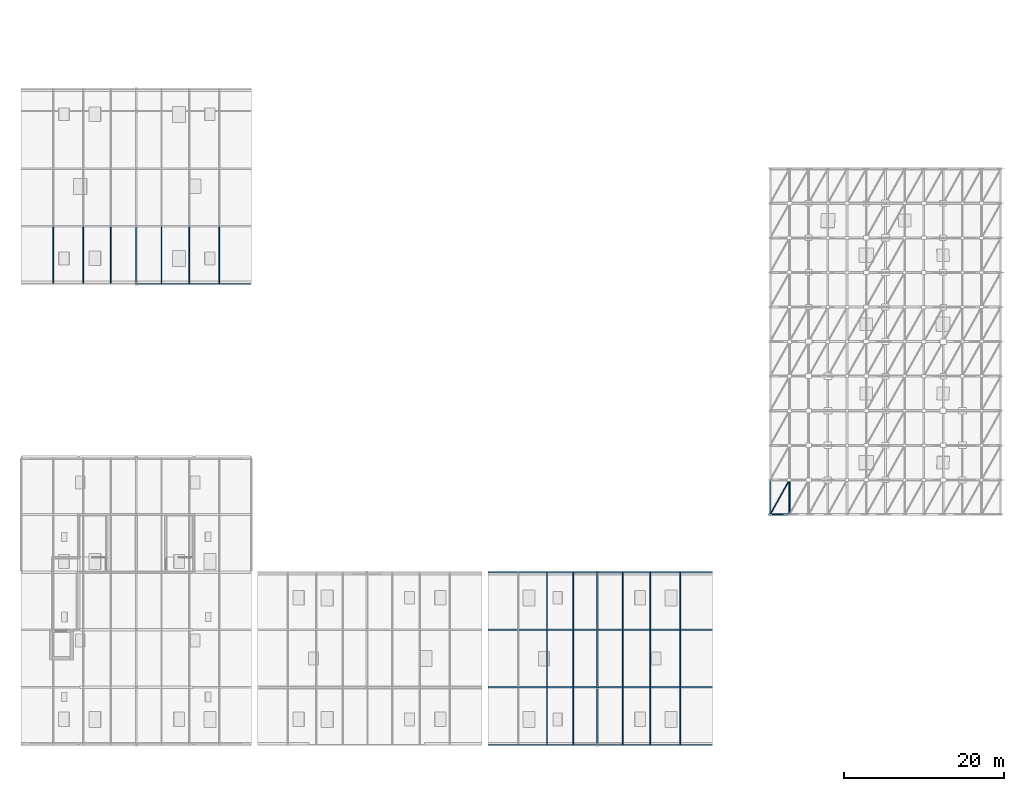
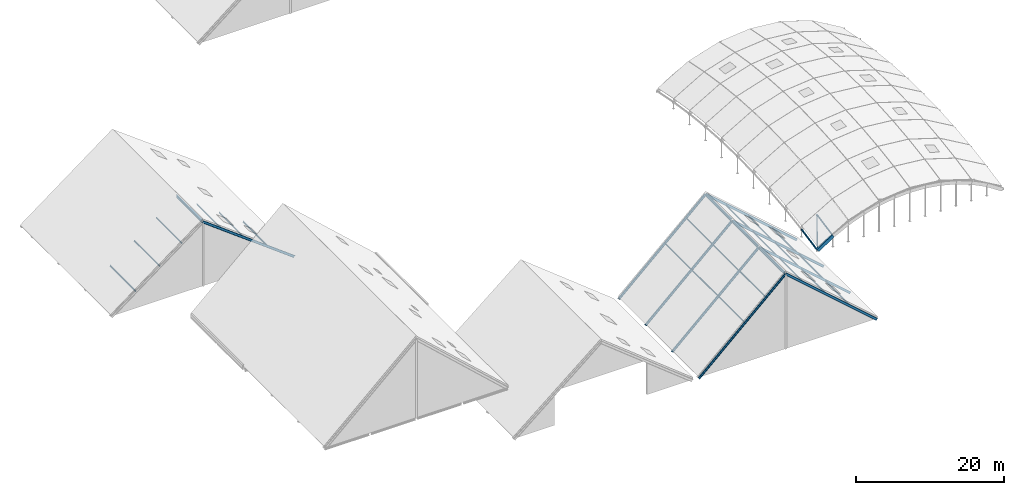
# One storey, part 8 of 35: 25 members, 13 beams.
"""IFC4 building model written with IfcOpenShell, lengths in metres."""

import ifcopenshell
import ifcopenshell.guid

model = None  # the IFC model being written
_history = None  # IfcOwnerHistory: only IFC2X3 demands one
_inside = {}  # id of a spatial element -> (the spatial element, [elements in it])
_under = {}  # id of a project, library or spatial element -> (it, [spatial elements below it])
_declared = {}  # id of a project -> (the project, [libraries it declares])
_typed = {}  # id of a type object -> (the type object, [elements of that type])
_made_of = {}  # id of a material, layer set ... -> (it, [elements and type objects made of it])


def new_model(schema):
    """Start an empty IFC model of exactly this schema.

    Asked for "IFC4X3", IfcOpenShell would pick the latest addendum, in which some entities
    have other attributes; the version numbers below select the first issue.
    IFC2X3 requires an IfcOwnerHistory on every rooted entity: one is made here for all.
    """
    global model, _history
    if schema == "IFC4X3":
        model = ifcopenshell.file(schema_version=(4, 3, 0, 0))
    else:
        model = ifcopenshell.file(schema=schema)
    _inside.clear()
    _under.clear()
    _declared.clear()
    _typed.clear()
    _made_of.clear()
    _history = None
    if model.schema == "IFC2X3":
        org = make("IfcOrganization", Name="unknown")
        user = make(
            "IfcPersonAndOrganization",
            ThePerson=make("IfcPerson", FamilyName="unknown"),
            TheOrganization=org,
        )
        app = make(
            "IfcApplication",
            ApplicationDeveloper=org,
            Version="unknown",
            ApplicationFullName="unknown",
            ApplicationIdentifier="unknown",
        )
        _history = make(
            "IfcOwnerHistory",
            OwningUser=user,
            OwningApplication=app,
            ChangeAction="ADDED",
            CreationDate=0,
        )
    return model


def make(cls, **values):
    """One entity of the class cls with the attributes given. An attribute that is None is left unset."""
    return model.create_entity(
        cls, **{name: value for name, value in values.items() if value is not None}
    )


def rooted(cls, **values):
    """An entity with a GlobalId (a new one), such as an element, a storey or a relation."""
    return make(cls, GlobalId=ifcopenshell.guid.new(), OwnerHistory=_history, **values)


def si_unit(unit_type, name, prefix=None):
    """IfcSIUnit, for example si_unit("LENGTHUNIT", "METRE", prefix="MILLI")."""
    return make("IfcSIUnit", UnitType=unit_type, Prefix=prefix, Name=name)


def assignment(units):
    """IfcUnitAssignment: the units of a project."""
    return None if units is None else make("IfcUnitAssignment", Units=units)


def point(xyz):
    """IfcCartesianPoint."""
    return None if xyz is None else make("IfcCartesianPoint", Coordinates=xyz)


def direction(xyz):
    """IfcDirection."""
    return None if xyz is None else make("IfcDirection", DirectionRatios=xyz)


def frame(location, z_axis=None, x_axis=None):
    """IfcAxis2Placement3D, a coordinate frame: its origin and axes. An axis left out is left unset."""
    return make(
        "IfcAxis2Placement3D",
        Location=point(location),
        Axis=direction(z_axis),
        RefDirection=direction(x_axis),
    )


def frame_2d(location, x_axis=None):
    """IfcAxis2Placement2D, a coordinate frame in the plane: its origin and x axis."""
    return make(
        "IfcAxis2Placement2D", Location=point(location), RefDirection=direction(x_axis)
    )


def origin():
    """The frame at (0, 0, 0) with its axes left unset."""
    return frame((0.0, 0.0, 0.0))


def origin_2d():
    """The frame at (0, 0) in the plane with its x axis left unset."""
    return frame_2d((0.0, 0.0))


def place(relative_to, where):
    """IfcLocalPlacement: puts the frame where relative to a parent placement (None: the world)."""
    return make(
        "IfcLocalPlacement", PlacementRelTo=relative_to, RelativePlacement=where
    )


def context(
    kind, dimensions, precision=None, world=None, true_north=None, identifier=None
):
    """IfcGeometricRepresentationContext, for example the 3D "Model" context."""
    return make(
        "IfcGeometricRepresentationContext",
        ContextIdentifier=identifier,
        ContextType=kind,
        CoordinateSpaceDimension=dimensions,
        Precision=precision,
        WorldCoordinateSystem=world,
        TrueNorth=true_north,
    )


def subcontext(parent, identifier, kind, view, scale=None):
    """IfcGeometricRepresentationSubContext, for example "Body" below "Model"."""
    return make(
        "IfcGeometricRepresentationSubContext",
        ContextIdentifier=identifier,
        ContextType=kind,
        ParentContext=parent,
        TargetScale=scale,
        TargetView=view,
    )


def project(units=None, contexts=None):
    """IfcProject with its units and contexts."""
    return rooted(
        "IfcProject",
        Name="project",
        RepresentationContexts=contexts,
        UnitsInContext=assignment(units),
    )


def spatial(cls, under=None, at=None, **own):
    """A site, building, storey or space (cls), placed at a placement, below another one or the project."""
    s = rooted(cls, ObjectPlacement=at, **own)
    if under is not None:
        _under.setdefault(under.id(), (under, []))[1].append(s)
    return s


def profile(cls, at=None, kind="AREA", **sizes):
    """A parametric profile (cls). Its sizes go by their IFC names, for example OverallWidth=200.0."""
    return make(cls, ProfileType=kind, Position=at, **sizes)


def rectangle(**sizes):
    """IfcRectangleProfileDef."""
    return profile("IfcRectangleProfileDef", **sizes)


def hollow_rectangle(**sizes):
    """IfcRectangleHollowProfileDef."""
    return profile("IfcRectangleHollowProfileDef", **sizes)


def hollow_circle(**sizes):
    """IfcCircleHollowProfileDef."""
    return profile("IfcCircleHollowProfileDef", **sizes)


def i_section(**sizes):
    """IfcIShapeProfileDef."""
    return profile("IfcIShapeProfileDef", **sizes)


def extrude(swept, where, along, depth):
    """IfcExtrudedAreaSolid: the profile swept, set in the frame where, extruded along a direction by depth."""
    return make(
        "IfcExtrudedAreaSolid",
        SweptArea=swept,
        Position=where,
        ExtrudedDirection=direction(along),
        Depth=depth,
    )


def shape(context_of_items, identifier, shape_type, items):
    """IfcShapeRepresentation: the items that make up one representation, for example the "Body"."""
    return make(
        "IfcShapeRepresentation",
        ContextOfItems=context_of_items,
        RepresentationIdentifier=identifier,
        RepresentationType=shape_type,
        Items=items,
    )


def material(Name=None, Category=None):
    """IfcMaterial."""
    return make("IfcMaterial", Name=Name, Category=Category)


def material_profile(
    of_material, cross_section, Name=None, Category=None, Priority=None
):
    """IfcMaterialProfile: a cross section and its material."""
    return make(
        "IfcMaterialProfile",
        Name=Name,
        Material=of_material,
        Profile=cross_section,
        Priority=Priority,
        Category=Category,
    )


def profile_set(profiles, Name=None, composite=None):
    """IfcMaterialProfileSet."""
    return make(
        "IfcMaterialProfileSet",
        Name=Name,
        MaterialProfiles=profiles,
        CompositeProfile=composite,
    )


def made_of(thing, what):
    """Note that an element or type object is made of a material, layer set ...; save() writes the relation."""
    if what is not None:
        _made_of.setdefault(what.id(), (what, []))[1].append(thing)
    return thing


def type_object(cls, material=None, **own):
    """A type object (cls), such as IfcWallType, which elements share."""
    return made_of(rooted(cls, **own), material)


def element(
    cls,
    number,
    at=None,
    inside=None,
    cuts=None,
    type_object=None,
    material=None,
    context=None,
    identifier="Body",
    shape_type=None,
    held_by="IfcProductDefinitionShape",
    body=None,
    shapes=None,
    **own,
):
    """One element of the class cls, such as IfcWall. Its Tag is "e" and its number.

    at: its placement. inside: the storey or other place that contains it. cuts: it is an
    opening in that element (IfcRelVoidsElement). A single representation is given by context,
    identifier, shape_type and body (its items); several are given by shapes. held_by: the class
    of the entity that holds the representations. save() writes the other relations.
    """
    e = rooted(cls, Tag="e%d" % number, ObjectPlacement=at, **own)
    if body is not None:
        shapes = [shape(context, identifier, shape_type, body)]
    if shapes is not None:
        e.Representation = make(held_by, Representations=shapes)
    if inside is not None:
        _inside.setdefault(inside.id(), (inside, []))[1].append(e)
    if cuts is not None:
        rooted(
            "IfcRelVoidsElement", RelatingBuildingElement=cuts, RelatedOpeningElement=e
        )
    if type_object is not None:
        _typed.setdefault(type_object.id(), (type_object, []))[1].append(e)
    return made_of(e, material)


def aggregate(whole, parts):
    """IfcRelAggregates: a whole, such as a stair, and the parts it consists of."""
    return rooted("IfcRelAggregates", RelatingObject=whole, RelatedObjects=parts)


def save(model, path):
    """Write the relations noted so far, then the file.

    IfcRelAggregates (storeys below a building ...), IfcRelContainedInSpatialStructure (elements
    in a storey), IfcRelDefinesByType, IfcRelAssociatesMaterial and IfcRelDeclares: one each for
    every whole, place, type object, material and project.
    """
    for whole, parts in _under.values():
        aggregate(whole, parts)
    for where, things in _inside.values():
        rooted(
            "IfcRelContainedInSpatialStructure",
            RelatedElements=things,
            RelatingStructure=where,
        )
    for kind, things in _typed.values():
        rooted("IfcRelDefinesByType", RelatedObjects=things, RelatingType=kind)
    for what, things in _made_of.values():
        rooted("IfcRelAssociatesMaterial", RelatedObjects=things, RelatingMaterial=what)
    for by, libraries in _declared.values():
        rooted("IfcRelDeclares", RelatingContext=by, RelatedDefinitions=libraries)
    model.write(path)


model = new_model("IFC4")

# Units and contexts
model_context = context("Model", 3, precision=1e-05, world=origin(), true_north=direction((0.0, 1.0)))
body_context = subcontext(model_context, "Body", "Model", "MODEL_VIEW")
ifc_project = project(units=[si_unit("LENGTHUNIT", "METRE"), si_unit("AREAUNIT", "SQUARE_METRE"), si_unit("VOLUMEUNIT", "CUBIC_METRE"), si_unit("PLANEANGLEUNIT", "RADIAN"), si_unit("MASSUNIT", "GRAM", prefix="KILO")], contexts=[model_context])

# Site, building, storey
site_placement = place(None, origin())
site = spatial("IfcSite", under=ifc_project, at=site_placement, CompositionType="ELEMENT")
building_placement = place(site_placement, origin())
building = spatial("IfcBuilding", under=site, at=building_placement, Name="Zarrinpeak Specialist Clinic", CompositionType="ELEMENT")
storey_placement = place(building_placement, frame((0.0, 0.0, 31.60009765625)))
storey = spatial("IfcBuildingStorey", under=building, at=storey_placement, Name="RF", CompositionType="ELEMENT", Elevation=31.60009765625)

# Beams
ifc_material_1 = material(Name="Steel S355", Category="steel")
ifc_material_profile_1 = material_profile(ifc_material_1, i_section(OverallWidth=0.169921875, OverallDepth=0.360107421875, WebThickness=0.008056640625, FlangeThickness=0.0126953125, FilletRadius=0.01806640625, at=origin_2d()), Name="IPE 360")
ifc_profile_set_1 = profile_set([ifc_material_profile_1], Name="Steel S355")
beam_type_1 = type_object("IfcBeamType", Name="BM-JST360", PredefinedType="JOIST", material=ifc_profile_set_1)
beam_1_placement = place(storey_placement, frame((58.4599609375, 0.0, -8.9501953125), z_axis=(0.733950992204, 0.0, 0.679202430092), x_axis=(0.0, 1.0, 0.0)))
element("IfcBeam", 1, at=beam_1_placement, inside=storey, type_object=beam_type_1, Name="V4 Pitched Gable Rafter W Y=0.0", PredefinedType="JOIST", context=body_context, shape_type="SweptSolid", body=[
    extrude(i_section(OverallWidth=0.169921875, OverallDepth=0.360107421875, WebThickness=0.008056640625, FlangeThickness=0.0126953125, FilletRadius=0.01806640625, at=origin_2d()), origin(), (0.0, 0.0, 1.0), 18.4482421875),
])
beam_2_placement = place(storey_placement, frame((86.260009765625, 0.0, -8.9501953125), z_axis=(-0.751203933571, 0.0, 0.660070185804), x_axis=(0.0, -1.0, 0.0)))
element("IfcBeam", 2, at=beam_2_placement, inside=storey, type_object=beam_type_1, Name="V4 Pitched Gable Rafter E Y=0.0", PredefinedType="JOIST", context=body_context, shape_type="SweptSolid", body=[
    extrude(i_section(OverallWidth=0.169921875, OverallDepth=0.360107421875, WebThickness=0.008056640625, FlangeThickness=0.0126953125, FilletRadius=0.01806640625, at=origin_2d()), origin(), (0.0, 0.0, 1.0), 18.98291015625),
])
beam_3_placement = place(storey_placement, frame((58.4599609375, 7.199951171875, -8.9501953125), z_axis=(0.733950992204, 0.0, 0.679202430092), x_axis=(0.0, 1.0, 0.0)))
element("IfcBeam", 3, at=beam_3_placement, inside=storey, type_object=beam_type_1, Name="V4 Pitched Gable Rafter W Y=7.2", PredefinedType="JOIST", context=body_context, shape_type="SweptSolid", body=[
    extrude(i_section(OverallWidth=0.169921875, OverallDepth=0.360107421875, WebThickness=0.008056640625, FlangeThickness=0.0126953125, FilletRadius=0.01806640625, at=origin_2d()), origin(), (0.0, 0.0, 1.0), 18.4482421875),
])
beam_4_placement = place(storey_placement, frame((86.260009765625, 7.199951171875, -8.9501953125), z_axis=(-0.751203933571, 0.0, 0.660070185804), x_axis=(0.0, -1.0, 0.0)))
element("IfcBeam", 4, at=beam_4_placement, inside=storey, type_object=beam_type_1, Name="V4 Pitched Gable Rafter E Y=7.2", PredefinedType="JOIST", context=body_context, shape_type="SweptSolid", body=[
    extrude(i_section(OverallWidth=0.169921875, OverallDepth=0.360107421875, WebThickness=0.008056640625, FlangeThickness=0.0126953125, FilletRadius=0.01806640625, at=origin_2d()), origin(), (0.0, 0.0, 1.0), 18.98291015625),
])
beam_5_placement = place(storey_placement, frame((58.4599609375, 14.39990234375, -8.9501953125), z_axis=(0.733950992204, 0.0, 0.679202430092), x_axis=(0.0, 1.0, 0.0)))
element("IfcBeam", 5, at=beam_5_placement, inside=storey, type_object=beam_type_1, Name="V4 Pitched Gable Rafter W Y=14.4", PredefinedType="JOIST", context=body_context, shape_type="SweptSolid", body=[
    extrude(i_section(OverallWidth=0.169921875, OverallDepth=0.360107421875, WebThickness=0.008056640625, FlangeThickness=0.0126953125, FilletRadius=0.01806640625, at=origin_2d()), origin(), (0.0, 0.0, 1.0), 18.4482421875),
])
beam_6_placement = place(storey_placement, frame((86.260009765625, 14.39990234375, -8.9501953125), z_axis=(-0.751203933571, 0.0, 0.660070185804), x_axis=(0.0, -1.0, 0.0)))
element("IfcBeam", 6, at=beam_6_placement, inside=storey, type_object=beam_type_1, Name="V4 Pitched Gable Rafter E Y=14.4", PredefinedType="JOIST", context=body_context, shape_type="SweptSolid", body=[
    extrude(i_section(OverallWidth=0.169921875, OverallDepth=0.360107421875, WebThickness=0.008056640625, FlangeThickness=0.0126953125, FilletRadius=0.01806640625, at=origin_2d()), origin(), (0.0, 0.0, 1.0), 18.98291015625),
])
beam_7_placement = place(storey_placement, frame((58.4599609375, 21.60009765625, -8.9501953125), z_axis=(0.733950992204, 0.0, 0.679202430092), x_axis=(0.0, 1.0, 0.0)))
element("IfcBeam", 7, at=beam_7_placement, inside=storey, type_object=beam_type_1, Name="V4 Pitched Gable Rafter W Y=21.6", PredefinedType="JOIST", context=body_context, shape_type="SweptSolid", body=[
    extrude(i_section(OverallWidth=0.169921875, OverallDepth=0.360107421875, WebThickness=0.008056640625, FlangeThickness=0.0126953125, FilletRadius=0.01806640625, at=origin_2d()), origin(), (0.0, 0.0, 1.0), 18.4482421875),
])
beam_8_placement = place(storey_placement, frame((86.260009765625, 21.60009765625, -8.9501953125), z_axis=(-0.751203933571, 0.0, 0.660070185804), x_axis=(0.0, -1.0, 0.0)))
element("IfcBeam", 8, at=beam_8_placement, inside=storey, type_object=beam_type_1, Name="V4 Pitched Gable Rafter E Y=21.6", PredefinedType="JOIST", context=body_context, shape_type="SweptSolid", body=[
    extrude(i_section(OverallWidth=0.169921875, OverallDepth=0.360107421875, WebThickness=0.008056640625, FlangeThickness=0.0126953125, FilletRadius=0.01806640625, at=origin_2d()), origin(), (0.0, 0.0, 1.0), 18.98291015625),
])
beam_9_placement = place(storey_placement, frame((28.659912109375, 57.60009765625, -13.35009765625), z_axis=(-0.799058352684, 0.0, 0.601253481492), x_axis=(0.0, -1.0, 0.0)))
element("IfcBeam", 9, at=beam_9_placement, inside=storey, type_object=beam_type_1, Name="V5 Pitched Gable Rafter E Y=57.6", PredefinedType="JOIST", context=body_context, shape_type="SweptSolid", body=[
    extrude(i_section(OverallWidth=0.169921875, OverallDepth=0.360107421875, WebThickness=0.008056640625, FlangeThickness=0.0126953125, FilletRadius=0.01806640625, at=origin_2d()), origin(), (0.0, 0.0, 1.0), 17.845947265625),
])
ifc_material_profile_2 = material_profile(ifc_material_1, i_section(OverallWidth=0.18994140625, OverallDepth=0.449951171875, WebThickness=0.009521484375, FlangeThickness=0.0146484375, FilletRadius=0.02099609375, at=origin_2d()), Name="IPE 450")
ifc_profile_set_2 = profile_set([ifc_material_profile_2], Name="Steel S355")
beam_type_2 = type_object("IfcBeamType", Name="BM-RIDGE450", PredefinedType="BEAM", material=ifc_profile_set_2)
beam_10_placement = place(storey_placement, frame((72.0, 0.139892578125, 3.5498046875), z_axis=(0.0, 1.0, 0.0), x_axis=(-1.0, 0.0, 0.0)))
element("IfcBeam", 10, at=beam_10_placement, inside=storey, type_object=beam_type_2, Name="V4 Gable Ridge Beam BM-RF-V4-RIDGE-2394", PredefinedType="BEAM", context=body_context, shape_type="SweptSolid", body=[
    extrude(i_section(OverallWidth=0.18994140625, OverallDepth=0.449951171875, WebThickness=0.009521484375, FlangeThickness=0.0146484375, FilletRadius=0.02099609375, at=origin_2d()), origin(), (0.0, 0.0, 1.0), 6.920166015625),
])
for number, where, z_axis, x_axis, name in (
    (11, (72.0, 7.340087890625, 3.5498046875), (0.0, 1.0, 0.0), (-1.0, 0.0, 0.0), "V4 Gable Ridge Beam BM-RF-V4-RIDGE-2395"),
    (12, (72.0, 14.5400390625, 3.5498046875), (0.0, 1.0, 0.0), (-1.0, 0.0, 0.0), "V4 Gable Ridge Beam BM-RF-V4-RIDGE-2396"),
    (13, (14.39990234375, 57.739990234375, -2.650146484375), (0.0, 1.0, 0.0), (-1.0, 0.0, 0.0), "V5 Gable Ridge Beam BM-RF-V5-RIDGE-2447"),
):
    element("IfcBeam", number, at=place(storey_placement, frame(where, z_axis=z_axis, x_axis=x_axis)), inside=storey, type_object=beam_type_2, Name=name, PredefinedType="BEAM", context=body_context, shape_type="SweptSolid", body=[
        extrude(i_section(OverallWidth=0.18994140625, OverallDepth=0.449951171875, WebThickness=0.009521484375, FlangeThickness=0.0146484375, FilletRadius=0.02099609375, at=origin_2d()), origin(), (0.0, 0.0, 1.0), 6.919921875),
    ])

# Members
ifc_material_profile_3 = material_profile(ifc_material_1, hollow_circle(Radius=0.084228515625, WallThickness=0.008056640625, at=origin_2d()), Name="CHS 168.3x8.0")
ifc_profile_set_3 = profile_set([ifc_material_profile_3], Name="Steel S355")
member_type_1 = type_object("IfcMemberType", Name="MB-BR168", PredefinedType="BRACE", material=ifc_profile_set_3)
member_1_placement = place(storey_placement, frame((93.60009765625, 28.800048828125, -17.60009765625), z_axis=(0.435142042868, 0.783299943902, 0.443951123899), x_axis=(-0.874168927292, 0.485621958479, 0.0)))
element("IfcMember", 14, at=member_1_placement, inside=storey, type_object=member_type_1, Name="V3 Gridshell Diagonal Brace GS-DIAG-001", PredefinedType="BRACE", context=body_context, shape_type="SweptSolid", body=[
    extrude(hollow_circle(Radius=0.084228515625, WallThickness=0.008056640625, at=origin_2d()), origin(), (0.0, 0.0, 1.0), 5.51513671875),
])
ifc_material_profile_4 = material_profile(ifc_material_1, hollow_circle(Radius=0.109619140625, WallThickness=0.010009765625, at=origin_2d()), Name="CHS 219.1x10.0")
ifc_profile_set_4 = profile_set([ifc_material_profile_4], Name="Steel S355")
member_type_2 = type_object("IfcMemberType", Name="MB-GS-CH219", PredefinedType="USERDEFINED", material=ifc_profile_set_4)
member_2_placement = place(storey_placement, frame((96.0, 28.800048828125, -16.015380859375), z_axis=(0.0, 0.980591331223, 0.19606284995), x_axis=(-1.0, 0.0, 0.0)))
element("IfcMember", 15, at=member_2_placement, inside=storey, type_object=member_type_2, Name="V3 Translational Gridshell Vault Steel Chord I01-J00", ObjectType="ARCH_SEGMENT", PredefinedType="USERDEFINED", context=body_context, shape_type="SweptSolid", body=[
    extrude(hollow_circle(Radius=0.109619140625, WallThickness=0.010009765625, at=origin_2d()), origin(), (0.0, 0.0, 1.0), 4.405517578125),
])
ifc_material_2 = material(Name="Glulam GL28h", Category="wood")
ifc_material_profile_5 = material_profile(ifc_material_2, rectangle(XDim=0.219970703125, YDim=0.56005859375, at=origin_2d()), Name="GL28h 220x560")
ifc_profile_set_5 = profile_set([ifc_material_profile_5], Name="Glulam GL28h")
member_type_3 = type_object("IfcMemberType", Name="MB-GS-GL560", PredefinedType="USERDEFINED", material=ifc_profile_set_5)
member_3_placement = place(storey_placement, frame((93.60009765625, 28.800048828125, -17.60009765625), z_axis=(0.834484495814, 0.0, 0.55103142038), x_axis=(0.0, 1.0, 0.0)))
element("IfcMember", 16, at=member_3_placement, inside=storey, type_object=member_type_3, Name="V3 Translational Gridshell Vault Glulam Arch Rib J00-00", ObjectType="ARCH_SEGMENT", PredefinedType="USERDEFINED", context=body_context, shape_type="SweptSolid", body=[
    extrude(rectangle(XDim=0.219970703125, YDim=0.56005859375, at=origin_2d()), origin(), (0.0, 0.0, 1.0), 2.8759765625),
])
ifc_material_profile_6 = material_profile(ifc_material_1, hollow_rectangle(XDim=0.14990234375, YDim=0.25, WallThickness=0.010009765625, at=origin_2d()), Name="RHS 250x150x10.0")
ifc_profile_set_6 = profile_set([ifc_material_profile_6], Name="Steel S355")
member_type_4 = type_object("IfcMemberType", Name="MB-GS-RH250", PredefinedType="USERDEFINED", material=ifc_profile_set_6)
member_4_placement = place(storey_placement, frame((93.60009765625, 28.800048828125, -17.60009765625), z_axis=(0.0, 0.980580675691, 0.196116135138), x_axis=(-1.0, 0.0, 0.0)))
element("IfcMember", 17, at=member_4_placement, inside=storey, type_object=member_type_4, Name="V3 Translational Gridshell Vault Steel Chord I00-J00", ObjectType="ARCH_SEGMENT", PredefinedType="USERDEFINED", context=body_context, shape_type="SweptSolid", body=[
    extrude(hollow_rectangle(XDim=0.14990234375, YDim=0.25, WallThickness=0.010009765625, at=origin_2d()), origin(), (0.0, 0.0, 1.0), 4.405517578125),
])
ifc_material_profile_7 = material_profile(ifc_material_1, i_section(OverallWidth=0.10009765625, OverallDepth=0.199951171875, WebThickness=0.005615234375, FlangeThickness=0.008544921875, FilletRadius=0.011962890625, at=origin_2d()), Name="IPE 200")
ifc_profile_set_7 = profile_set([ifc_material_profile_7], Name="Steel S355")
member_type_5 = type_object("IfcMemberType", Name="MB-PRL200", PredefinedType="PURLIN", material=ifc_profile_set_7)
for number, where, z_axis, x_axis, name in (
    (18, (65.707275390625, 0.080078125, -2.336181640625), (0.0, 1.0, 0.0), (-1.0, 0.0, 0.0), "V4 Roof Purlin PRL-RF-V4-W-2408"),
    (19, (65.707275390625, 7.280029296875, -2.336181640625), (0.0, 1.0, 0.0), (-1.0, 0.0, 0.0), "V4 Roof Purlin PRL-RF-V4-W-2409"),
    (20, (65.707275390625, 14.47998046875, -2.336181640625), (0.0, 1.0, 0.0), (-1.0, 0.0, 0.0), "V4 Roof Purlin PRL-RF-V4-W-2410"),
    (21, (68.990478515625, 0.080078125, 0.68798828125), (0.0, 1.0, 0.0), (-1.0, 0.0, 0.0), "V4 Roof Purlin PRL-RF-V4-W-2411"),
    (22, (68.990478515625, 7.280029296875, 0.68798828125), (0.0, 1.0, 0.0), (-1.0, 0.0, 0.0), "V4 Roof Purlin PRL-RF-V4-W-2412"),
    (23, (68.990478515625, 14.47998046875, 0.68798828125), (0.0, 1.0, 0.0), (-1.0, 0.0, 0.0), "V4 Roof Purlin PRL-RF-V4-W-2413"),
    (24, (78.6240234375, 0.080078125, -2.336181640625), (0.0, 1.0, 0.0), (-1.0, 0.0, 0.0), "V4 Roof Purlin PRL-RF-V4-E-2417"),
    (25, (78.6240234375, 7.280029296875, -2.336181640625), (0.0, 1.0, 0.0), (-1.0, 0.0, 0.0), "V4 Roof Purlin PRL-RF-V4-E-2418"),
    (26, (78.6240234375, 14.47998046875, -2.336181640625), (0.0, 1.0, 0.0), (-1.0, 0.0, 0.0), "V4 Roof Purlin PRL-RF-V4-E-2419"),
    (27, (75.16796875, 0.080078125, 0.68798828125), (0.0, 1.0, 0.0), (-1.0, 0.0, 0.0), "V4 Roof Purlin PRL-RF-V4-E-2420"),
    (28, (75.16796875, 7.280029296875, 0.68798828125), (0.0, 1.0, 0.0), (-1.0, 0.0, 0.0), "V4 Roof Purlin PRL-RF-V4-E-2421"),
    (29, (75.16796875, 14.47998046875, 0.68798828125), (0.0, 1.0, 0.0), (-1.0, 0.0, 0.0), "V4 Roof Purlin PRL-RF-V4-E-2422"),
    (30, (7.77587890625, 57.679931640625, -7.7080078125), (0.0, 1.0, 0.0), (-1.0, 0.0, 0.0), "V5 Roof Purlin PRL-RF-V5-W-2465"),
    (31, (11.23193359375, 57.679931640625, -5.1162109375), (0.0, 1.0, 0.0), (-1.0, 0.0, 0.0), "V5 Roof Purlin PRL-RF-V5-W-2469"),
    (32, (21.02392578125, 57.679931640625, -7.7080078125), (0.0, 1.0, 0.0), (-1.0, 0.0, 0.0), "V5 Roof Purlin PRL-RF-V5-E-2477"),
    (33, (17.568115234375, 57.679931640625, -5.1162109375), (0.0, 1.0, 0.0), (-1.0, 0.0, 0.0), "V5 Roof Purlin PRL-RF-V5-E-2481"),
):
    element("IfcMember", number, at=place(storey_placement, frame(where, z_axis=z_axis, x_axis=x_axis)), inside=storey, type_object=member_type_5, Name=name, PredefinedType="PURLIN", context=body_context, shape_type="SweptSolid", body=[
        extrude(i_section(OverallWidth=0.10009765625, OverallDepth=0.199951171875, WebThickness=0.005615234375, FlangeThickness=0.008544921875, FilletRadius=0.011962890625, at=origin_2d()), origin(), (0.0, 0.0, 1.0), 7.0400390625),
    ])
ifc_material_profile_8 = material_profile(ifc_material_1, i_section(OverallWidth=0.1201171875, OverallDepth=0.239990234375, WebThickness=0.006103515625, FlangeThickness=0.009765625, FilletRadius=0.014892578125, at=origin_2d()), Name="IPE 240")
ifc_profile_set_8 = profile_set([ifc_material_profile_8], Name="Steel S355")
member_type_6 = type_object("IfcMemberType", Name="MB-PRL240", PredefinedType="PURLIN", material=ifc_profile_set_8)
for number, where, z_axis, x_axis, name in (
    (34, (82.367919921875, 0.080078125, -5.612060546875), (0.0, 1.0, 0.0), (-1.0, 0.0, 0.0), "V4 Roof Purlin PRL-RF-V4-E-2414"),
    (35, (82.367919921875, 7.280029296875, -5.612060546875), (0.0, 1.0, 0.0), (-1.0, 0.0, 0.0), "V4 Roof Purlin PRL-RF-V4-E-2415"),
    (36, (82.367919921875, 14.47998046875, -5.612060546875), (0.0, 1.0, 0.0), (-1.0, 0.0, 0.0), "V4 Roof Purlin PRL-RF-V4-E-2416"),
    (37, (4.031982421875, 57.679931640625, -10.51611328125), (0.0, 1.0, 0.0), (-1.0, 0.0, 0.0), "V5 Roof Purlin PRL-RF-V5-W-2461"),
    (38, (24.76806640625, 57.679931640625, -10.51611328125), (0.0, 1.0, 0.0), (-1.0, 0.0, 0.0), "V5 Roof Purlin PRL-RF-V5-E-2473"),
):
    element("IfcMember", number, at=place(storey_placement, frame(where, z_axis=z_axis, x_axis=x_axis)), inside=storey, type_object=member_type_6, Name=name, PredefinedType="PURLIN", context=body_context, shape_type="SweptSolid", body=[
        extrude(i_section(OverallWidth=0.1201171875, OverallDepth=0.239990234375, WebThickness=0.006103515625, FlangeThickness=0.009765625, FilletRadius=0.014892578125, at=origin_2d()), origin(), (0.0, 0.0, 1.0), 7.0400390625),
    ])

save(model, "model.ifc")
